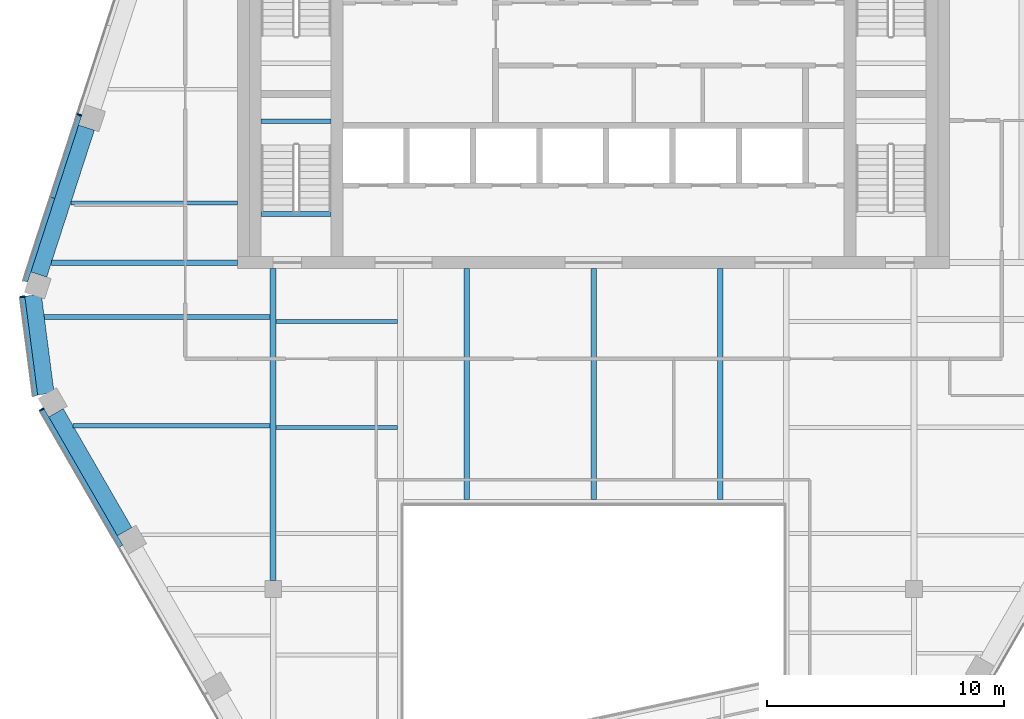
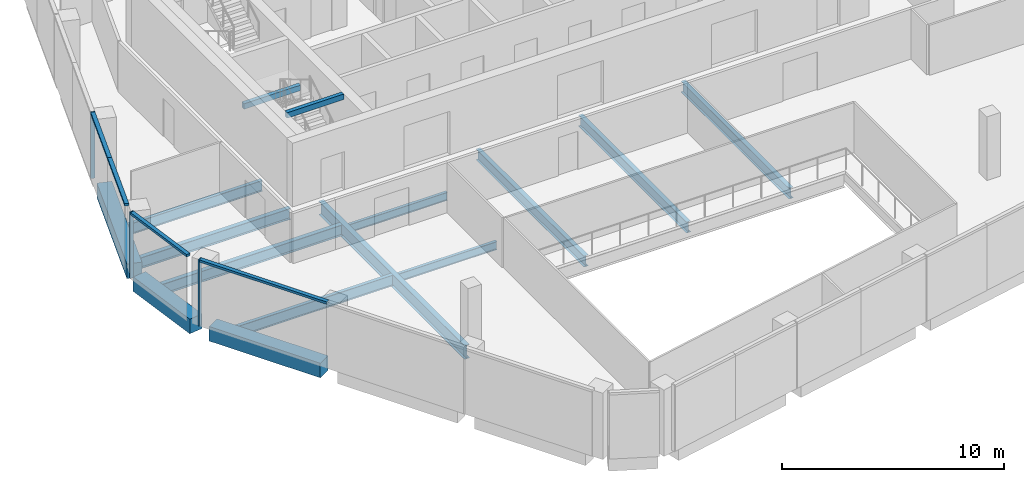
# One storey, part 3 of 15: 15 beams, 7 members, 3 elements without a shape of their own.
"""IFC4 building model written with IfcOpenShell, lengths in metres."""

import ifcopenshell
import ifcopenshell.guid

model = None  # the IFC model being written
_history = None  # IfcOwnerHistory: only IFC2X3 demands one
_inside = {}  # id of a spatial element -> (the spatial element, [elements in it])
_under = {}  # id of a project, library or spatial element -> (it, [spatial elements below it])
_declared = {}  # id of a project -> (the project, [libraries it declares])
_typed = {}  # id of a type object -> (the type object, [elements of that type])
_made_of = {}  # id of a material, layer set ... -> (it, [elements and type objects made of it])


def new_model(schema):
    """Start an empty IFC model of exactly this schema.

    Asked for "IFC4X3", IfcOpenShell would pick the latest addendum, in which some entities
    have other attributes; the version numbers below select the first issue.
    IFC2X3 requires an IfcOwnerHistory on every rooted entity: one is made here for all.
    """
    global model, _history
    if schema == "IFC4X3":
        model = ifcopenshell.file(schema_version=(4, 3, 0, 0))
    else:
        model = ifcopenshell.file(schema=schema)
    _inside.clear()
    _under.clear()
    _declared.clear()
    _typed.clear()
    _made_of.clear()
    _history = None
    if model.schema == "IFC2X3":
        org = make("IfcOrganization", Name="unknown")
        user = make(
            "IfcPersonAndOrganization",
            ThePerson=make("IfcPerson", FamilyName="unknown"),
            TheOrganization=org,
        )
        app = make(
            "IfcApplication",
            ApplicationDeveloper=org,
            Version="unknown",
            ApplicationFullName="unknown",
            ApplicationIdentifier="unknown",
        )
        _history = make(
            "IfcOwnerHistory",
            OwningUser=user,
            OwningApplication=app,
            ChangeAction="ADDED",
            CreationDate=0,
        )
    return model


def make(cls, **values):
    """One entity of the class cls with the attributes given. An attribute that is None is left unset."""
    return model.create_entity(
        cls, **{name: value for name, value in values.items() if value is not None}
    )


def rooted(cls, **values):
    """An entity with a GlobalId (a new one), such as an element, a storey or a relation."""
    return make(cls, GlobalId=ifcopenshell.guid.new(), OwnerHistory=_history, **values)


def si_unit(unit_type, name, prefix=None):
    """IfcSIUnit, for example si_unit("LENGTHUNIT", "METRE", prefix="MILLI")."""
    return make("IfcSIUnit", UnitType=unit_type, Prefix=prefix, Name=name)


def assignment(units):
    """IfcUnitAssignment: the units of a project."""
    return None if units is None else make("IfcUnitAssignment", Units=units)


def point(xyz):
    """IfcCartesianPoint."""
    return None if xyz is None else make("IfcCartesianPoint", Coordinates=xyz)


def direction(xyz):
    """IfcDirection."""
    return None if xyz is None else make("IfcDirection", DirectionRatios=xyz)


def frame(location, z_axis=None, x_axis=None):
    """IfcAxis2Placement3D, a coordinate frame: its origin and axes. An axis left out is left unset."""
    return make(
        "IfcAxis2Placement3D",
        Location=point(location),
        Axis=direction(z_axis),
        RefDirection=direction(x_axis),
    )


def frame_2d(location, x_axis=None):
    """IfcAxis2Placement2D, a coordinate frame in the plane: its origin and x axis."""
    return make(
        "IfcAxis2Placement2D", Location=point(location), RefDirection=direction(x_axis)
    )


def origin():
    """The frame at (0, 0, 0) with its axes left unset."""
    return frame((0.0, 0.0, 0.0))


def origin_2d():
    """The frame at (0, 0) in the plane with its x axis left unset."""
    return frame_2d((0.0, 0.0))


def place(relative_to, where):
    """IfcLocalPlacement: puts the frame where relative to a parent placement (None: the world)."""
    return make(
        "IfcLocalPlacement", PlacementRelTo=relative_to, RelativePlacement=where
    )


def context(
    kind, dimensions, precision=None, world=None, true_north=None, identifier=None
):
    """IfcGeometricRepresentationContext, for example the 3D "Model" context."""
    return make(
        "IfcGeometricRepresentationContext",
        ContextIdentifier=identifier,
        ContextType=kind,
        CoordinateSpaceDimension=dimensions,
        Precision=precision,
        WorldCoordinateSystem=world,
        TrueNorth=true_north,
    )


def subcontext(parent, identifier, kind, view, scale=None):
    """IfcGeometricRepresentationSubContext, for example "Body" below "Model"."""
    return make(
        "IfcGeometricRepresentationSubContext",
        ContextIdentifier=identifier,
        ContextType=kind,
        ParentContext=parent,
        TargetScale=scale,
        TargetView=view,
    )


def project(units=None, contexts=None):
    """IfcProject with its units and contexts."""
    return rooted(
        "IfcProject",
        Name="project",
        RepresentationContexts=contexts,
        UnitsInContext=assignment(units),
    )


def spatial(cls, under=None, at=None, **own):
    """A site, building, storey or space (cls), placed at a placement, below another one or the project."""
    s = rooted(cls, ObjectPlacement=at, **own)
    if under is not None:
        _under.setdefault(under.id(), (under, []))[1].append(s)
    return s


def profile(cls, at=None, kind="AREA", **sizes):
    """A parametric profile (cls). Its sizes go by their IFC names, for example OverallWidth=200.0."""
    return make(cls, ProfileType=kind, Position=at, **sizes)


def rectangle(**sizes):
    """IfcRectangleProfileDef."""
    return profile("IfcRectangleProfileDef", **sizes)


def i_section(**sizes):
    """IfcIShapeProfileDef."""
    return profile("IfcIShapeProfileDef", **sizes)


def extrude(swept, where, along, depth):
    """IfcExtrudedAreaSolid: the profile swept, set in the frame where, extruded along a direction by depth."""
    return make(
        "IfcExtrudedAreaSolid",
        SweptArea=swept,
        Position=where,
        ExtrudedDirection=direction(along),
        Depth=depth,
    )


def shape(context_of_items, identifier, shape_type, items):
    """IfcShapeRepresentation: the items that make up one representation, for example the "Body"."""
    return make(
        "IfcShapeRepresentation",
        ContextOfItems=context_of_items,
        RepresentationIdentifier=identifier,
        RepresentationType=shape_type,
        Items=items,
    )


def material(Name=None, Category=None):
    """IfcMaterial."""
    return make("IfcMaterial", Name=Name, Category=Category)


def layer(
    of_material, thickness, ventilated=None, Name=None, Category=None, Priority=None
):
    """IfcMaterialLayer: one layer of a wall or slab, of a material (None: an air gap)."""
    return make(
        "IfcMaterialLayer",
        Material=of_material,
        LayerThickness=thickness,
        IsVentilated=ventilated,
        Name=Name,
        Category=Category,
        Priority=Priority,
    )


def layer_set(layers, Name=None):
    """IfcMaterialLayerSet."""
    return make("IfcMaterialLayerSet", MaterialLayers=layers, LayerSetName=Name)


def material_profile(
    of_material, cross_section, Name=None, Category=None, Priority=None
):
    """IfcMaterialProfile: a cross section and its material."""
    return make(
        "IfcMaterialProfile",
        Name=Name,
        Material=of_material,
        Profile=cross_section,
        Priority=Priority,
        Category=Category,
    )


def profile_set(profiles, Name=None, composite=None):
    """IfcMaterialProfileSet."""
    return make(
        "IfcMaterialProfileSet",
        Name=Name,
        MaterialProfiles=profiles,
        CompositeProfile=composite,
    )


def made_of(thing, what):
    """Note that an element or type object is made of a material, layer set ...; save() writes the relation."""
    if what is not None:
        _made_of.setdefault(what.id(), (what, []))[1].append(thing)
    return thing


def type_object(cls, material=None, **own):
    """A type object (cls), such as IfcWallType, which elements share."""
    return made_of(rooted(cls, **own), material)


def element(
    cls,
    number,
    at=None,
    inside=None,
    cuts=None,
    type_object=None,
    material=None,
    context=None,
    identifier="Body",
    shape_type=None,
    held_by="IfcProductDefinitionShape",
    body=None,
    shapes=None,
    **own,
):
    """One element of the class cls, such as IfcWall. Its Tag is "e" and its number.

    at: its placement. inside: the storey or other place that contains it. cuts: it is an
    opening in that element (IfcRelVoidsElement). A single representation is given by context,
    identifier, shape_type and body (its items); several are given by shapes. held_by: the class
    of the entity that holds the representations. save() writes the other relations.
    """
    e = rooted(cls, Tag="e%d" % number, ObjectPlacement=at, **own)
    if body is not None:
        shapes = [shape(context, identifier, shape_type, body)]
    if shapes is not None:
        e.Representation = make(held_by, Representations=shapes)
    if inside is not None:
        _inside.setdefault(inside.id(), (inside, []))[1].append(e)
    if cuts is not None:
        rooted(
            "IfcRelVoidsElement", RelatingBuildingElement=cuts, RelatedOpeningElement=e
        )
    if type_object is not None:
        _typed.setdefault(type_object.id(), (type_object, []))[1].append(e)
    return made_of(e, material)


def aggregate(whole, parts):
    """IfcRelAggregates: a whole, such as a stair, and the parts it consists of."""
    return rooted("IfcRelAggregates", RelatingObject=whole, RelatedObjects=parts)


def save(model, path):
    """Write the relations noted so far, then the file.

    IfcRelAggregates (storeys below a building ...), IfcRelContainedInSpatialStructure (elements
    in a storey), IfcRelDefinesByType, IfcRelAssociatesMaterial and IfcRelDeclares: one each for
    every whole, place, type object, material and project.
    """
    for whole, parts in _under.values():
        aggregate(whole, parts)
    for where, things in _inside.values():
        rooted(
            "IfcRelContainedInSpatialStructure",
            RelatedElements=things,
            RelatingStructure=where,
        )
    for kind, things in _typed.values():
        rooted("IfcRelDefinesByType", RelatedObjects=things, RelatingType=kind)
    for what, things in _made_of.values():
        rooted("IfcRelAssociatesMaterial", RelatedObjects=things, RelatingMaterial=what)
    for by, libraries in _declared.values():
        rooted("IfcRelDeclares", RelatingContext=by, RelatedDefinitions=libraries)
    model.write(path)


model = new_model("IFC4")

# Units and contexts
model_context = context("Model", 3, precision=1e-05, world=origin(), true_north=direction((0.0, 1.0)))
body_context = subcontext(model_context, "Body", "Model", "MODEL_VIEW")
ifc_project = project(units=[si_unit("LENGTHUNIT", "METRE"), si_unit("AREAUNIT", "SQUARE_METRE"), si_unit("VOLUMEUNIT", "CUBIC_METRE"), si_unit("PLANEANGLEUNIT", "RADIAN"), si_unit("MASSUNIT", "GRAM", prefix="KILO")], contexts=[model_context])

# Site, building, storey
site_placement = place(None, origin())
site = spatial("IfcSite", under=ifc_project, at=site_placement, CompositionType="ELEMENT")
building_placement = place(site_placement, origin())
building = spatial("IfcBuilding", under=site, at=building_placement, Name="Isthmus Gate Tower", CompositionType="ELEMENT")
storey_placement = place(building_placement, frame((0.0, 0.0, 271.89990234375)))
storey = spatial("IfcBuildingStorey", under=building, at=storey_placement, Name="L69", CompositionType="ELEMENT", Elevation=271.89990234375)

# Curtain wall, member
ifc_material_1 = material(Name="Aluminium, pale champagne anodised", Category="aluminium")
ifc_layer = layer(ifc_material_1, 0.199951171875)
ifc_layer_set = layer_set([ifc_layer], Name="CW-1 UNITISED CURTAIN WALL 200 DEEP")
curtain_wall_type = type_object("IfcCurtainWallType", Name="CW-1 UNITISED CURTAIN WALL 200 DEEP", PredefinedType="NOTDEFINED", material=ifc_layer_set)
curtain_wall_1_placement = place(storey_placement, origin())
curtain_wall_1 = element("IfcCurtainWall", 1, at=curtain_wall_1_placement, inside=storey, type_object=curtain_wall_type, Name="CW-1 NW L69", PredefinedType="NOTDEFINED")
ifc_material_2 = material(Name="Aluminium, pale champagne anodised", Category="aluminium")
ifc_material_profile_1 = material_profile(ifc_material_2, rectangle(XDim=0.06005859375, YDim=0.199951171875, at=origin_2d()), Name="60x200")
ifc_profile_set_1 = profile_set([ifc_material_profile_1], Name="Aluminium, pale champagne anodised")
member_type_1 = type_object("IfcMemberType", Name="CW-1 MULLION 60 X 200", PredefinedType="MULLION", material=ifc_profile_set_1)
member_1_placement = place(storey_placement, frame((-21.6572265625, 6.47265625, 0.0), z_axis=(0.0, 0.0, 1.0), x_axis=(-0.309016994375, -0.951056516295, 0.0)))
member_1 = element("IfcMember", 2, at=member_1_placement, type_object=member_type_1, Name="CW-1 mullion", PredefinedType="MULLION", context=body_context, shape_type="SweptSolid", body=[
    extrude(rectangle(XDim=0.06005859375, YDim=0.199951171875, at=origin_2d()), origin(), (0.0, 0.0, 1.0), 3.650146484375),
])

curtain_wall_2_placement = place(storey_placement, origin())
curtain_wall_2 = element("IfcCurtainWall", 3, at=curtain_wall_2_placement, inside=storey, type_object=curtain_wall_type, Name="CW-1 NW-SW L69", PredefinedType="NOTDEFINED")
member_2_placement = place(storey_placement, frame((-24.0576171875, -1.18603515625, 0.0), z_axis=(0.0, 0.0, 1.0), x_axis=(0.129164534, -0.991623175988, 0.0)))
member_2 = element("IfcMember", 4, at=member_2_placement, type_object=member_type_1, Name="CW-1 mullion", PredefinedType="MULLION", context=body_context, shape_type="SweptSolid", body=[
    extrude(rectangle(XDim=0.06005859375, YDim=0.199951171875, at=origin_2d()), origin(), (0.0, 0.0, 1.0), 3.650146484375),
])

curtain_wall_3_placement = place(storey_placement, origin())
curtain_wall_3 = element("IfcCurtainWall", 5, at=curtain_wall_3_placement, inside=storey, type_object=curtain_wall_type, Name="CW-1 SW L69", PredefinedType="NOTDEFINED")
member_3_placement = place(storey_placement, frame((-23.244873046875, -5.938720703125, 0.0), z_axis=(0.0, 0.0, 1.0), x_axis=(0.5, -0.866025403784, 0.0)))
member_3 = element("IfcMember", 6, at=member_3_placement, type_object=member_type_1, Name="CW-1 mullion", PredefinedType="MULLION", context=body_context, shape_type="SweptSolid", body=[
    extrude(rectangle(XDim=0.06005859375, YDim=0.199951171875, at=origin_2d()), origin(), (0.0, 0.0, 1.0), 3.650146484375),
])

# Member
ifc_material_3 = material(Name="Aluminium, pale champagne anodised", Category="aluminium")
ifc_material_profile_2 = material_profile(ifc_material_3, rectangle(XDim=0.199951171875, YDim=0.1298828125, at=origin_2d()), Name="200x130")
ifc_profile_set_2 = profile_set([ifc_material_profile_2], Name="Aluminium, pale champagne anodised")
member_type_2 = type_object("IfcMemberType", Name="CW-1 TRANSOM 200 X 130", PredefinedType="USERDEFINED", material=ifc_profile_set_2)
member_4_placement = place(storey_placement, frame((-21.66650390625, 6.4443359375, 3.585205078125), z_axis=(-0.30898152177, -0.951068041312, 0.0), x_axis=(0.951068041312, -0.30898152177, 0.0)))
member_4 = element("IfcMember", 7, at=member_4_placement, type_object=member_type_2, Name="CW-1 transom", ObjectType="TRANSOM", PredefinedType="USERDEFINED", context=body_context, shape_type="SweptSolid", body=[
    extrude(rectangle(XDim=0.199951171875, YDim=0.1298828125, at=origin_2d()), origin(), (0.0, 0.0, 1.0), 3.643310546875),
])

member_5_placement = place(storey_placement, frame((-22.792236328125, 2.979248046875, 3.585205078125), z_axis=(-0.309039863592, -0.951049085332, 0.0), x_axis=(0.951049085332, -0.309039863592, 0.0)))
member_5 = element("IfcMember", 8, at=member_5_placement, type_object=member_type_2, Name="CW-1 transom", ObjectType="TRANSOM", PredefinedType="USERDEFINED", context=body_context, shape_type="SweptSolid", body=[
    extrude(rectangle(XDim=0.199951171875, YDim=0.1298828125, at=origin_2d()), origin(), (0.0, 0.0, 1.0), 3.70361328125),
])

aggregate(curtain_wall_1, [member_1, member_4, member_5])

member_6_placement = place(storey_placement, frame((-24.0537109375, -1.215576171875, 3.585205078125), z_axis=(0.129149481977, -0.991625136483, 0.0), x_axis=(0.991625136483, 0.129149481977, 0.0)))
member_6 = element("IfcMember", 9, at=member_6_placement, type_object=member_type_2, Name="CW-1 transom", ObjectType="TRANSOM", PredefinedType="USERDEFINED", context=body_context, shape_type="SweptSolid", body=[
    extrude(rectangle(XDim=0.199951171875, YDim=0.1298828125, at=origin_2d()), origin(), (0.0, 0.0, 1.0), 4.181396484375),
])

aggregate(curtain_wall_2, [member_2, member_6])

member_7_placement = place(storey_placement, frame((-23.22998046875, -5.964599609375, 3.585205078125), z_axis=(0.49999574405, -0.866027860944, 0.0), x_axis=(0.866027860944, 0.49999574405, 0.0)))
member_7 = element("IfcMember", 10, at=member_7_placement, type_object=member_type_2, Name="CW-1 transom", ObjectType="TRANSOM", PredefinedType="USERDEFINED", context=body_context, shape_type="SweptSolid", body=[
    extrude(rectangle(XDim=0.199951171875, YDim=0.1298828125, at=origin_2d()), origin(), (0.0, 0.0, 1.0), 6.62451171875),
])

aggregate(curtain_wall_3, [member_3, member_7])

# Beams
ifc_material_4 = material(Name="Concrete f'c 50 MPa", Category="concrete")
ifc_material_profile_3 = material_profile(ifc_material_4, rectangle(XDim=0.699951171875, YDim=0.800048828125, at=origin_2d()), Name="RC 700X800")
ifc_profile_set_3 = profile_set([ifc_material_profile_3], Name="Concrete f'c 50 MPa")
beam_type_1 = type_object("IfcBeamType", Name="RC SPANDREL 700 X 800", PredefinedType="SPANDREL", material=ifc_profile_set_3)
beam_1_placement = place(storey_placement, frame((-19.7529296875, -11.0869140625, -0.39990234375), z_axis=(-0.500011073467, 0.866019010421, 0.0), x_axis=(-0.866019010421, -0.500011073467, 0.0)))
element("IfcBeam", 11, at=beam_1_placement, inside=storey, type_object=beam_type_1, Name="str-spandrel-L69-15", PredefinedType="SPANDREL", context=body_context, shape_type="SweptSolid", body=[
    extrude(rectangle(XDim=0.699951171875, YDim=0.800048828125, at=origin_2d()), origin(), (0.0, 0.0, 1.0), 5.784423828125),
])
beam_2_placement = place(storey_placement, frame((-23.070068359375, -5.283447265625, -0.39990234375), z_axis=(-0.129137748309, 0.991626664608, 0.0), x_axis=(-0.991626664608, -0.129137748309, 0.0)))
element("IfcBeam", 12, at=beam_2_placement, inside=storey, type_object=beam_type_1, Name="str-spandrel-L69-16", PredefinedType="SPANDREL", context=body_context, shape_type="SweptSolid", body=[
    extrude(rectangle(XDim=0.699951171875, YDim=0.800048828125, at=origin_2d()), origin(), (0.0, 0.0, 1.0), 4.197021484375),
])
beam_3_placement = place(storey_placement, frame((-23.36962890625, -0.254150390625, -0.39990234375), z_axis=(0.30901480678, 0.951057227085, 0.0), x_axis=(-0.951057227085, 0.30901480678, 0.0)))
element("IfcBeam", 13, at=beam_3_placement, inside=storey, type_object=beam_type_1, Name="str-spandrel-L69-17", PredefinedType="SPANDREL", context=body_context, shape_type="SweptSolid", body=[
    extrude(rectangle(XDim=0.699951171875, YDim=0.800048828125, at=origin_2d()), origin(), (0.0, 0.0, 1.0), 6.5068359375),
])
ifc_material_5 = material(Name="Concrete f'c 40 MPa", Category="concrete")
ifc_material_profile_4 = material_profile(ifc_material_5, rectangle(XDim=0.199951171875, YDim=0.300048828125, at=origin_2d()), Name="STAIR LANDING BEAM RC 200 X 300")
ifc_profile_set_4 = profile_set([ifc_material_profile_4], Name="Concrete f'c 40 MPa")
beam_type_2 = type_object("IfcBeamType", Name="STAIR LANDING BEAM RC 200 X 300", PredefinedType="BEAM", material=ifc_profile_set_4)
for number, where, z_axis, x_axis, name in (
    (14, (-14.0, 6.199951171875, 1.47509765625), (1.0, 0.0, 0.0), (0.0, 1.0, 0.0), "L69 ST7 landing beam 1"),
    (15, (-14.0, 2.2998046875, 3.35009765625), (1.0, 0.0, 0.0), (0.0, 1.0, 0.0), "L69 ST7 floor-edge seat beam"),
):
    element("IfcBeam", number, at=place(storey_placement, frame(where, z_axis=z_axis, x_axis=x_axis)), inside=storey, type_object=beam_type_2, Name=name, PredefinedType="BEAM", context=body_context, shape_type="SweptSolid", body=[
        extrude(rectangle(XDim=0.199951171875, YDim=0.300048828125, at=origin_2d()), origin(), (0.0, 0.0, 1.0), 2.949951171875),
    ])
ifc_material_6 = material(Name="Structural steel ASTM A992 Gr 50", Category="steel")
ifc_material_profile_5 = material_profile(ifc_material_6, i_section(OverallWidth=0.15234375, OverallDepth=0.45068359375, WebThickness=0.0078125, FlangeThickness=0.010986328125, at=origin_2d()), Name="W18X35")
ifc_profile_set_5 = profile_set([ifc_material_profile_5], Name="Structural steel ASTM A992 Gr 50")
beam_type_3 = type_object("IfcBeamType", Name="STEEL FLOOR BEAM W18X35", PredefinedType="JOIST", material=ifc_profile_set_5)
for number, where, z_axis, x_axis, name in (
    (16, (-13.3681640625, -6.697509765625, -0.375244140625), (1.0, 0.0, 0.0), (0.0, 1.0, 0.0), "str-beam-L69-03-01"),
    (17, (-13.3681640625, -2.232421875, -0.375244140625), (1.0, 0.0, 0.0), (0.0, 1.0, 0.0), "str-beam-L69-03-02"),
):
    element("IfcBeam", number, at=place(storey_placement, frame(where, z_axis=z_axis, x_axis=x_axis)), inside=storey, type_object=beam_type_3, Name=name, PredefinedType="JOIST", context=body_context, shape_type="SweptSolid", body=[
        extrude(i_section(OverallWidth=0.15234375, OverallDepth=0.45068359375, WebThickness=0.0078125, FlangeThickness=0.010986328125, at=origin_2d()), origin(), (0.0, 0.0, 1.0), 5.1142578125),
    ])
ifc_material_7 = material(Name="Structural steel ASTM A992 Gr 50", Category="steel")
ifc_material_profile_6 = material_profile(ifc_material_7, i_section(OverallWidth=0.177734375, OverallDepth=0.60009765625, WebThickness=0.009521484375, FlangeThickness=0.0126953125, at=origin_2d()), Name="W24X55")
ifc_profile_set_6 = profile_set([ifc_material_profile_6], Name="Structural steel ASTM A992 Gr 50")
beam_type_4 = type_object("IfcBeamType", Name="STEEL FLOOR BEAM W24X55", PredefinedType="JOIST", material=ifc_profile_set_6)
beam_4_placement = place(storey_placement, frame((-22.021728515625, 2.761962890625, -0.449951171875), z_axis=(1.0, 0.0, 0.0), x_axis=(0.0, 1.0, 0.0)))
element("IfcBeam", 18, at=beam_4_placement, inside=storey, type_object=beam_type_4, Name="str-beam-L69-00-00", PredefinedType="JOIST", context=body_context, shape_type="SweptSolid", body=[
    extrude(i_section(OverallWidth=0.177734375, OverallDepth=0.60009765625, WebThickness=0.009521484375, FlangeThickness=0.0126953125, at=origin_2d()), origin(), (0.0, 0.0, 1.0), 7.021728515625),
])
beam_5_placement = place(storey_placement, frame((-21.9248046875, -6.625, -0.449951171875), z_axis=(1.0, 0.0, 0.0), x_axis=(0.0, 1.0, 0.0)))
element("IfcBeam", 19, at=beam_5_placement, inside=storey, type_object=beam_type_4, Name="str-beam-L69-01-01", PredefinedType="JOIST", context=body_context, shape_type="SweptSolid", body=[
    extrude(i_section(OverallWidth=0.177734375, OverallDepth=0.60009765625, WebThickness=0.009521484375, FlangeThickness=0.0126953125, at=origin_2d()), origin(), (0.0, 0.0, 1.0), 8.29296875),
])
ifc_material_8 = material(Name="Structural steel ASTM A992 Gr 50", Category="steel")
ifc_material_profile_7 = material_profile(ifc_material_8, i_section(OverallWidth=0.228515625, OverallDepth=0.603271484375, WebThickness=0.010986328125, FlangeThickness=0.014404296875, at=origin_2d()), Name="W24X68")
ifc_profile_set_7 = profile_set([ifc_material_profile_7], Name="Structural steel ASTM A992 Gr 50")
beam_type_5 = type_object("IfcBeamType", Name="STEEL FLOOR BEAM W24X68", PredefinedType="JOIST", material=ifc_profile_set_7)
beam_6_placement = place(storey_placement, frame((-23.139404296875, -2.041748046875, -0.451416015625), z_axis=(1.0, 0.0, 0.0), x_axis=(0.0, 1.0, 0.0)))
element("IfcBeam", 20, at=beam_6_placement, inside=storey, type_object=beam_type_5, Name="str-beam-L69-01-02", PredefinedType="JOIST", context=body_context, shape_type="SweptSolid", body=[
    extrude(i_section(OverallWidth=0.228515625, OverallDepth=0.603271484375, WebThickness=0.010986328125, FlangeThickness=0.014404296875, at=origin_2d()), origin(), (0.0, 0.0, 1.0), 9.507568359375),
])
for number, where, z_axis, x_axis, name in (
    (21, (-5.333251953125, -9.7333984375, -0.451416015625), (0.0, 1.0, 0.0), (-1.0, 0.0, 0.0), "str-beam-L69-06-00"),
    (22, (0.0, -9.7333984375, -0.451416015625), (0.0, 1.0, 0.0), (-1.0, 0.0, 0.0), "str-beam-L69-06-01"),
    (23, (5.333251953125, -9.7333984375, -0.451416015625), (0.0, 1.0, 0.0), (-1.0, 0.0, 0.0), "str-beam-L69-06-02"),
):
    element("IfcBeam", number, at=place(storey_placement, frame(where, z_axis=z_axis, x_axis=x_axis)), inside=storey, type_object=beam_type_5, Name=name, PredefinedType="JOIST", context=body_context, shape_type="SweptSolid", body=[
        extrude(i_section(OverallWidth=0.228515625, OverallDepth=0.603271484375, WebThickness=0.010986328125, FlangeThickness=0.014404296875, at=origin_2d()), origin(), (0.0, 0.0, 1.0), 9.7333984375),
    ])
ifc_material_9 = material(Name="Structural steel ASTM A992 Gr 50", Category="steel")
ifc_material_profile_8 = material_profile(ifc_material_9, i_section(OverallWidth=0.228515625, OverallDepth=0.603271484375, WebThickness=0.010986328125, FlangeThickness=0.014404296875, at=origin_2d()), Name="W24X68")
ifc_profile_set_8 = profile_set([ifc_material_profile_8], Name="Structural steel ASTM A992 Gr 50")
beam_type_6 = type_object("IfcBeamType", Name="STEEL GIRDER W24X68", PredefinedType="BEAM", material=ifc_profile_set_8)
beam_7_placement = place(storey_placement, frame((-15.0, 0.25, -0.451416015625), z_axis=(-1.0, 0.0, 0.0), x_axis=(0.0, -1.0, 0.0)))
element("IfcBeam", 24, at=beam_7_placement, inside=storey, type_object=beam_type_6, Name="str-girder-L69-09", PredefinedType="BEAM", context=body_context, shape_type="SweptSolid", body=[
    extrude(i_section(OverallWidth=0.228515625, OverallDepth=0.603271484375, WebThickness=0.010986328125, FlangeThickness=0.014404296875, at=origin_2d()), origin(), (0.0, 0.0, 1.0), 7.837890625),
])
ifc_material_10 = material(Name="Structural steel ASTM A992 Gr 50", Category="steel")
ifc_material_profile_9 = material_profile(ifc_material_10, i_section(OverallWidth=0.263427734375, OverallDepth=0.749267578125, WebThickness=0.0126953125, FlangeThickness=0.015869140625, at=origin_2d()), Name="W30X90")
ifc_profile_set_9 = profile_set([ifc_material_profile_9], Name="Structural steel ASTM A992 Gr 50")
beam_type_7 = type_object("IfcBeamType", Name="STEEL GIRDER W30X90", PredefinedType="BEAM", material=ifc_profile_set_9)
beam_8_placement = place(storey_placement, frame((-13.5, -13.14990234375, -0.524658203125), z_axis=(0.0, 1.0, 0.0), x_axis=(-1.0, 0.0, 0.0)))
element("IfcBeam", 25, at=beam_8_placement, inside=storey, type_object=beam_type_7, Name="str-girder-L69-06", PredefinedType="BEAM", context=body_context, shape_type="SweptSolid", body=[
    extrude(i_section(OverallWidth=0.263427734375, OverallDepth=0.749267578125, WebThickness=0.0126953125, FlangeThickness=0.015869140625, at=origin_2d()), origin(), (0.0, 0.0, 1.0), 13.14990234375),
])

save(model, "model.ifc")
